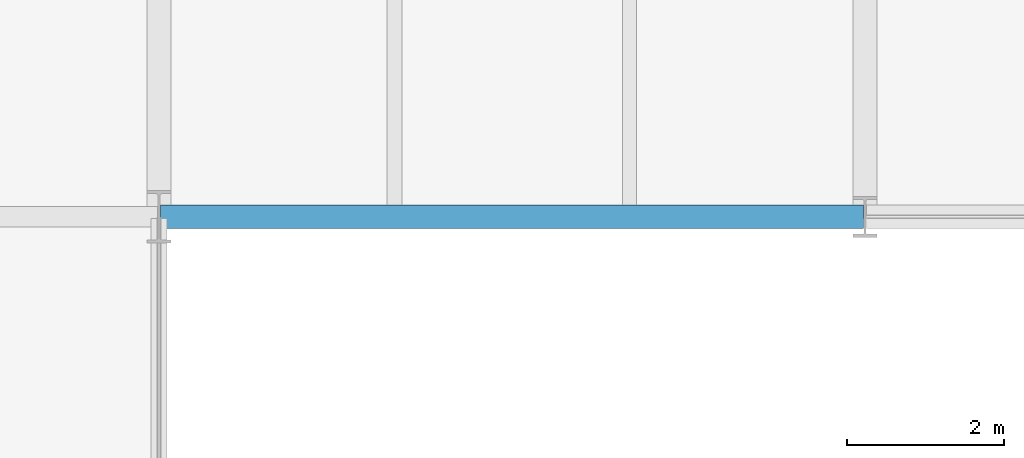
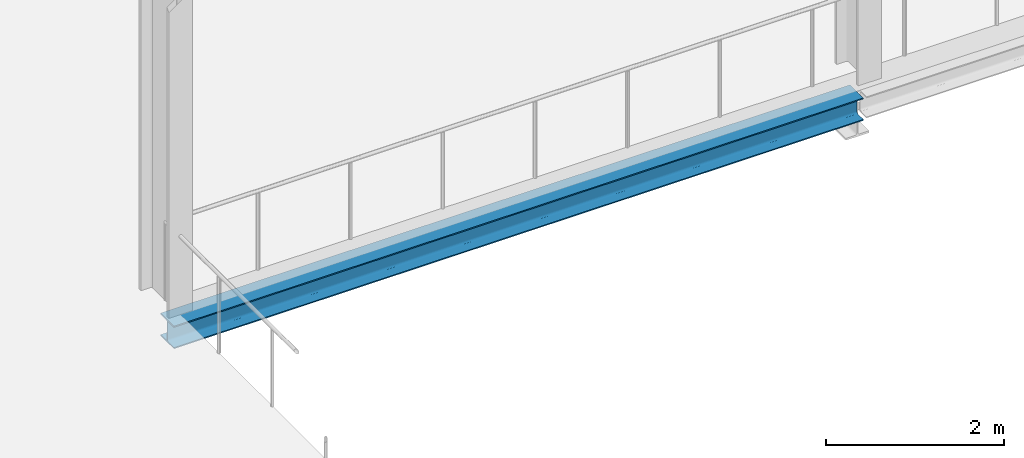
# One storey, part 79 of 211: 1 beam.
"""IFC4 building model written with IfcOpenShell, lengths in metres."""

from ifc_helpers import new_model, si_unit, direction, frame, origin, origin_2d, place, context, subcontext, project, spatial, i_section, extrude, material, material_profile, profile_set, type_object, element, save


model = new_model("IFC4")

# Units and contexts
model_context = context("Model", 3, precision=1e-05, world=origin(), true_north=direction((0.0, 1.0)))
body_context = subcontext(model_context, "Body", "Model", "MODEL_VIEW")
ifc_project = project(units=[si_unit("LENGTHUNIT", "METRE"), si_unit("AREAUNIT", "SQUARE_METRE"), si_unit("VOLUMEUNIT", "CUBIC_METRE"), si_unit("PLANEANGLEUNIT", "RADIAN"), si_unit("MASSUNIT", "GRAM", prefix="KILO")], contexts=[model_context])

# Site, building, storey
site_placement = place(None, origin())
site = spatial("IfcSite", under=ifc_project, at=site_placement, CompositionType="ELEMENT")
building_placement = place(site_placement, origin())
building = spatial("IfcBuilding", under=site, at=building_placement, Name="Barlavento Convention Centre", CompositionType="ELEMENT")
storey_placement = place(building_placement, frame((0.0, 0.0, 6.0)))
storey = spatial("IfcBuildingStorey", under=building, at=storey_placement, Name="L01", CompositionType="ELEMENT", Elevation=6.0)

# Beam
ifc_material = material(Name="Steel S355", Category="steel")
ifc_material_profile = material_profile(ifc_material, i_section(OverallWidth=0.300048828125, OverallDepth=0.31005859375, WebThickness=0.009033203125, FlangeThickness=0.015380859375, FilletRadius=0.027099609375, at=origin_2d()), Name="HEA 320")
ifc_profile_set = profile_set([ifc_material_profile], Name="Steel S355")
beam_type = type_object("IfcBeamType", Name="STR-BM-SPN-HEA320", PredefinedType="SPANDREL", material=ifc_profile_set)
beam_placement = place(storey_placement, frame((9.02001953125, 117.0, -0.43505859375), z_axis=(1.0, 0.0, 0.0), x_axis=(0.0, 1.0, 0.0)))
element("IfcBeam", 1, at=beam_placement, inside=storey, type_object=beam_type, Name="L01 primary girder SP01", PredefinedType="SPANDREL", context=body_context, shape_type="SweptSolid", body=[
    extrude(i_section(OverallWidth=0.300048828125, OverallDepth=0.31005859375, WebThickness=0.009033203125, FlangeThickness=0.015380859375, FilletRadius=0.027099609375, at=origin_2d()), origin(), (0.0, 0.0, 1.0), 8.9599609375),
])

save(model, "model.ifc")
